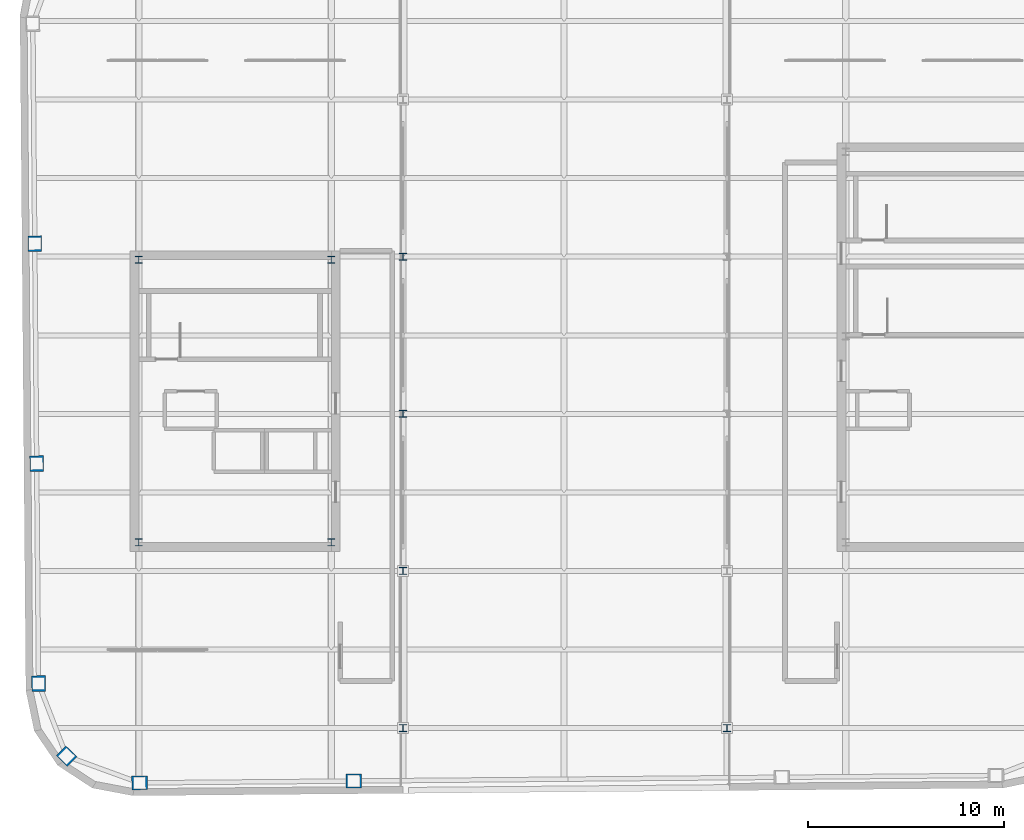
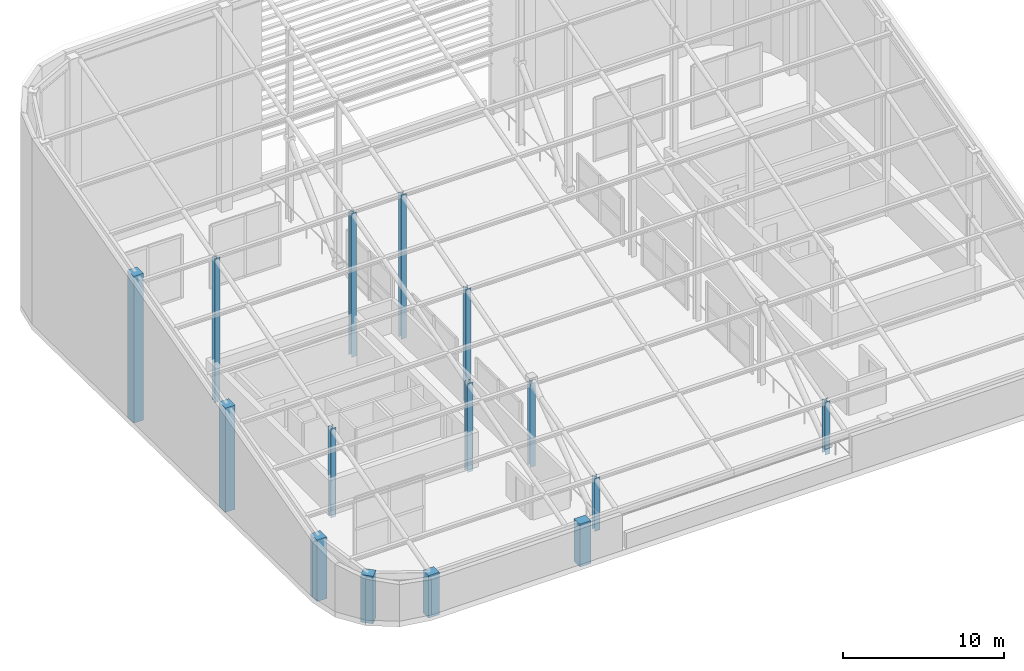
# One storey, part 1 of 17: 15 columns.
"""IFC4 building model written with IfcOpenShell, lengths in metres."""

from ifc_helpers import new_model, si_unit, direction, frame, origin, origin_2d, place, context, subcontext, project, spatial, rectangle, i_section, extrude, material, material_profile, profile_set, type_object, element, save


model = new_model("IFC4")

# Units and contexts
model_context = context("Model", 3, precision=1e-05, world=origin(), true_north=direction((0.0, 1.0)))
body_context = subcontext(model_context, "Body", "Model", "MODEL_VIEW")
ifc_project = project(units=[si_unit("LENGTHUNIT", "METRE"), si_unit("AREAUNIT", "SQUARE_METRE"), si_unit("VOLUMEUNIT", "CUBIC_METRE"), si_unit("PLANEANGLEUNIT", "RADIAN"), si_unit("MASSUNIT", "GRAM", prefix="KILO")], contexts=[model_context])

# Site, building, storey
site_placement = place(None, origin())
site = spatial("IfcSite", under=ifc_project, at=site_placement, CompositionType="ELEMENT")
building_placement = place(site_placement, origin())
building = spatial("IfcBuilding", under=site, at=building_placement, Name="Kolvaren Arena Tower", CompositionType="ELEMENT")
storey_placement = place(building_placement, frame((0.0, 0.0, 322.0)))
storey = spatial("IfcBuildingStorey", under=building, at=storey_placement, Name="Roof Crown", CompositionType="ELEMENT", Elevation=322.0)

# Columns
ifc_material_1 = material(Name="Precast concrete C50/60", Category="concrete")
ifc_material_profile_1 = material_profile(ifc_material_1, rectangle(XDim=0.800048828125, YDim=0.699951171875, at=origin_2d()), Name="RC-800x700")
ifc_profile_set_1 = profile_set([ifc_material_profile_1], Name="Precast concrete C50/60")
column_type_1 = type_object("IfcColumnType", Name="EXCOL-Z5", PredefinedType="COLUMN", material=ifc_profile_set_1)
column_1_placement = place(storey_placement, frame((14.591796875, 7.210693359375, -0.419921875), z_axis=(0.0, 0.0, 1.0), x_axis=(0.999961923064, 0.008726535498, 0.0)))
element("IfcColumn", 1, at=column_1_placement, inside=storey, type_object=column_type_1, Name="Exoskeleton Perimeter Column 01 (Roof Crown)", PredefinedType="COLUMN", context=body_context, shape_type="SweptSolid", body=[
    extrude(rectangle(XDim=0.800048828125, YDim=0.699951171875, at=origin_2d()), origin(), (0.0, 0.0, 1.0), 3.212646484375),
])
column_2_placement = place(storey_placement, frame((25.491455078125, 7.3056640625, -0.419921875), z_axis=(0.0, 0.0, 1.0), x_axis=(0.999961923064, 0.008726535498, 0.0)))
element("IfcColumn", 2, at=column_2_placement, inside=storey, type_object=column_type_1, Name="Exoskeleton Perimeter Column 02 (Roof Crown)", PredefinedType="COLUMN", context=body_context, shape_type="SweptSolid", body=[
    extrude(rectangle(XDim=0.800048828125, YDim=0.699951171875, at=origin_2d()), origin(), (0.0, 0.0, 1.0), 3.240234375),
])
column_3_placement = place(storey_placement, frame((9.252197265625, 34.6650390625, -0.419921875), z_axis=(0.0, 0.0, 1.0), x_axis=(-0.008726535498, 0.999961923064, 0.0)))
element("IfcColumn", 3, at=column_3_placement, inside=storey, type_object=column_type_1, Name="Exoskeleton Perimeter Column 19 (Roof Crown)", PredefinedType="COLUMN", context=body_context, shape_type="SweptSolid", body=[
    extrude(rectangle(XDim=0.800048828125, YDim=0.699951171875, at=origin_2d()), origin(), (0.0, 0.0, 1.0), 11.12646484375),
])
column_4_placement = place(storey_placement, frame((9.349853515625, 23.465576171875, -0.419921875), z_axis=(0.0, 0.0, 1.0), x_axis=(-0.008726535498, 0.999961923064, 0.0)))
element("IfcColumn", 4, at=column_4_placement, inside=storey, type_object=column_type_1, Name="Exoskeleton Perimeter Column 20 (Roof Crown)", PredefinedType="COLUMN", context=body_context, shape_type="SweptSolid", body=[
    extrude(rectangle(XDim=0.800048828125, YDim=0.699951171875, at=origin_2d()), origin(), (0.0, 0.0, 1.0), 7.898193359375),
])
column_5_placement = place(storey_placement, frame((9.447509765625, 12.265869140625, -0.419921875), z_axis=(0.0, 0.0, 1.0), x_axis=(-0.008726535498, 0.999961923064, 0.0)))
element("IfcColumn", 5, at=column_5_placement, inside=storey, type_object=column_type_1, Name="Exoskeleton Perimeter Column 21 (Roof Crown)", PredefinedType="COLUMN", context=body_context, shape_type="SweptSolid", body=[
    extrude(rectangle(XDim=0.800048828125, YDim=0.699951171875, at=origin_2d()), origin(), (0.0, 0.0, 1.0), 4.669921875),
])
column_6_placement = place(storey_placement, frame((10.87109375, 8.5693359375, -0.419921875), z_axis=(0.0, 0.0, 1.0), x_axis=(-0.713250449154, 0.7009092643, 0.0)))
element("IfcColumn", 6, at=column_6_placement, inside=storey, type_object=column_type_1, Name="Exoskeleton Perimeter Column 22 (Roof Crown)", PredefinedType="COLUMN", context=body_context, shape_type="SweptSolid", body=[
    extrude(rectangle(XDim=0.800048828125, YDim=0.699951171875, at=origin_2d()), origin(), (0.0, 0.0, 1.0), 3.604248046875),
])
ifc_material_2 = material(Name="Steel ASTM A913 Grade 65", Category="steel")
ifc_material_profile_2 = material_profile(ifc_material_2, i_section(OverallWidth=0.368896484375, OverallDepth=0.35595703125, WebThickness=0.01123046875, FlangeThickness=0.01806640625, FilletRadius=0.01806640625, at=origin_2d()), Name="W360x134")
ifc_profile_set_2 = profile_set([ifc_material_profile_2], Name="Steel ASTM A913 Grade 65")
column_type_2 = type_object("IfcColumnType", Name="SCOL-CR", PredefinedType="COLUMN", material=ifc_profile_set_2)
for number, where, z_axis, x_axis, name in (
    (7, (14.550048828125, 19.449951171875, -0.419921875), (0.0, 0.0, 1.0), (1.0, 0.0, 0.0), "Core Boundary Column WC-SW (Roof Crown)"),
    (8, (24.35009765625, 19.449951171875, -0.419921875), (0.0, 0.0, 1.0), (1.0, 0.0, 0.0), "Core Boundary Column WC-SE (Roof Crown)"),
):
    element("IfcColumn", number, at=place(storey_placement, frame(where, z_axis=z_axis, x_axis=x_axis)), inside=storey, type_object=column_type_2, Name=name, PredefinedType="COLUMN", context=body_context, shape_type="SweptSolid", body=[
        extrude(i_section(OverallWidth=0.368896484375, OverallDepth=0.35595703125, WebThickness=0.01123046875, FlangeThickness=0.01806640625, FilletRadius=0.01806640625, at=origin_2d()), origin(), (0.0, 0.0, 1.0), 6.750732421875),
    ])
for number, where, z_axis, x_axis, name in (
    (9, (14.550048828125, 33.85009765625, -0.419921875), (0.0, 0.0, 1.0), (1.0, 0.0, 0.0), "Core Boundary Column WC-NW (Roof Crown)"),
    (10, (24.35009765625, 33.85009765625, -0.419921875), (0.0, 0.0, 1.0), (1.0, 0.0, 0.0), "Core Boundary Column WC-NE (Roof Crown)"),
):
    element("IfcColumn", number, at=place(storey_placement, frame(where, z_axis=z_axis, x_axis=x_axis)), inside=storey, type_object=column_type_2, Name=name, PredefinedType="COLUMN", context=body_context, shape_type="SweptSolid", body=[
        extrude(i_section(OverallWidth=0.368896484375, OverallDepth=0.35595703125, WebThickness=0.01123046875, FlangeThickness=0.01806640625, FilletRadius=0.01806640625, at=origin_2d()), origin(), (0.0, 0.0, 1.0), 10.9013671875),
    ])
column_7_placement = place(storey_placement, frame((28.0, 10.0, -0.419921875), z_axis=(0.0, 0.0, 1.0), x_axis=(1.0, 0.0, 0.0)))
element("IfcColumn", 11, at=column_7_placement, inside=storey, type_object=column_type_2, Name="Wind-Portal Throat Column (West 1)", PredefinedType="COLUMN", context=body_context, shape_type="SweptSolid", body=[
    extrude(i_section(OverallWidth=0.368896484375, OverallDepth=0.35595703125, WebThickness=0.01123046875, FlangeThickness=0.01806640625, FilletRadius=0.01806640625, at=origin_2d()), origin(), (0.0, 0.0, 1.0), 4.0166015625),
])
column_8_placement = place(storey_placement, frame((28.0, 18.0, -0.419921875), z_axis=(0.0, 0.0, 1.0), x_axis=(1.0, 0.0, 0.0)))
element("IfcColumn", 12, at=column_8_placement, inside=storey, type_object=column_type_2, Name="Wind-Portal Throat Column (West 2)", PredefinedType="COLUMN", context=body_context, shape_type="SweptSolid", body=[
    extrude(i_section(OverallWidth=0.368896484375, OverallDepth=0.35595703125, WebThickness=0.01123046875, FlangeThickness=0.01806640625, FilletRadius=0.01806640625, at=origin_2d()), origin(), (0.0, 0.0, 1.0), 6.32275390625),
])
column_9_placement = place(storey_placement, frame((28.0, 26.0, -0.419921875), z_axis=(0.0, 0.0, 1.0), x_axis=(1.0, 0.0, 0.0)))
element("IfcColumn", 13, at=column_9_placement, inside=storey, type_object=column_type_2, Name="Wind-Portal Throat Column (West 3)", PredefinedType="COLUMN", context=body_context, shape_type="SweptSolid", body=[
    extrude(i_section(OverallWidth=0.368896484375, OverallDepth=0.35595703125, WebThickness=0.01123046875, FlangeThickness=0.01806640625, FilletRadius=0.01806640625, at=origin_2d()), origin(), (0.0, 0.0, 1.0), 8.628662109375),
])
column_10_placement = place(storey_placement, frame((28.0, 34.0, -0.419921875), z_axis=(0.0, 0.0, 1.0), x_axis=(1.0, 0.0, 0.0)))
element("IfcColumn", 14, at=column_10_placement, inside=storey, type_object=column_type_2, Name="Wind-Portal Throat Column (West 4)", PredefinedType="COLUMN", context=body_context, shape_type="SweptSolid", body=[
    extrude(i_section(OverallWidth=0.368896484375, OverallDepth=0.35595703125, WebThickness=0.01123046875, FlangeThickness=0.01806640625, FilletRadius=0.01806640625, at=origin_2d()), origin(), (0.0, 0.0, 1.0), 10.934814453125),
])
column_11_placement = place(storey_placement, frame((44.5, 10.0, -0.419921875), z_axis=(0.0, 0.0, 1.0), x_axis=(1.0, 0.0, 0.0)))
element("IfcColumn", 15, at=column_11_placement, inside=storey, type_object=column_type_2, Name="Wind-Portal Throat Column (East 1)", PredefinedType="COLUMN", context=body_context, shape_type="SweptSolid", body=[
    extrude(i_section(OverallWidth=0.368896484375, OverallDepth=0.35595703125, WebThickness=0.01123046875, FlangeThickness=0.01806640625, FilletRadius=0.01806640625, at=origin_2d()), origin(), (0.0, 0.0, 1.0), 4.0166015625),
])

save(model, "model.ifc")
